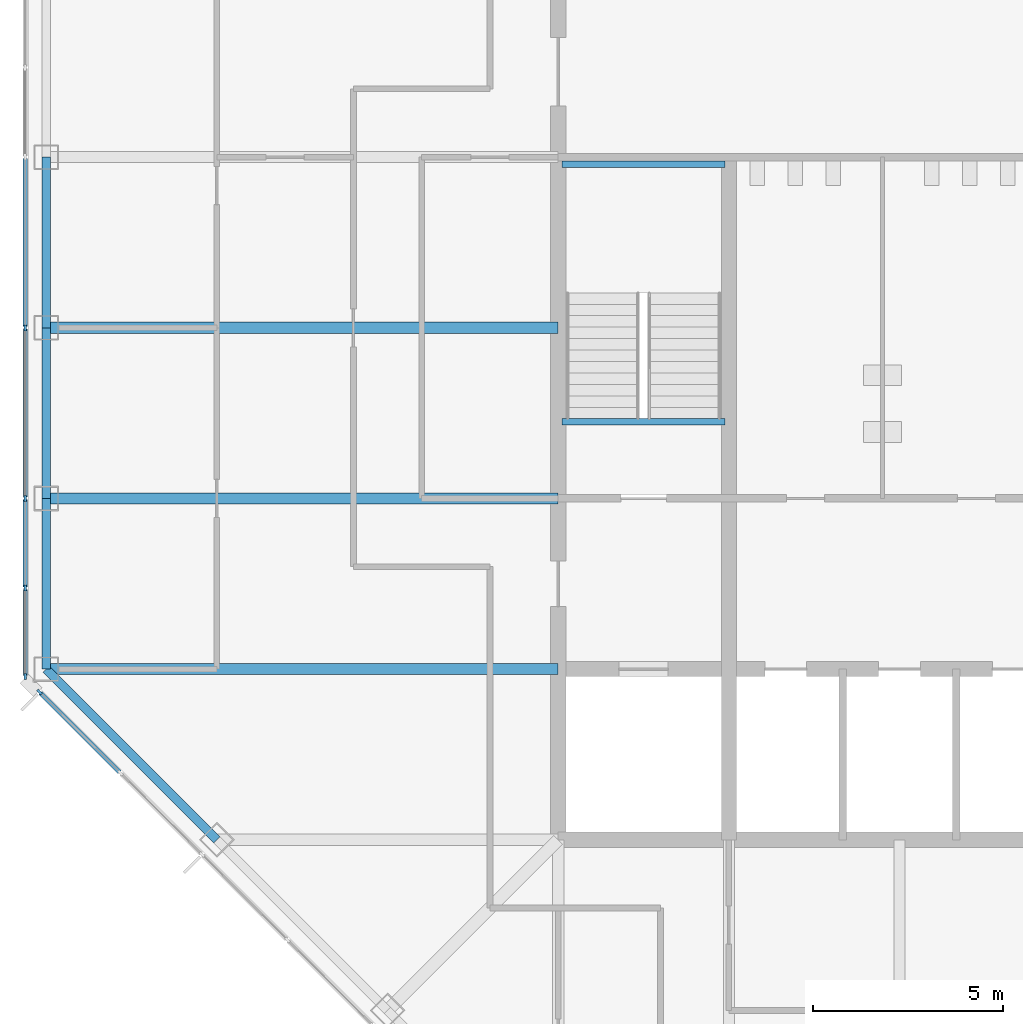
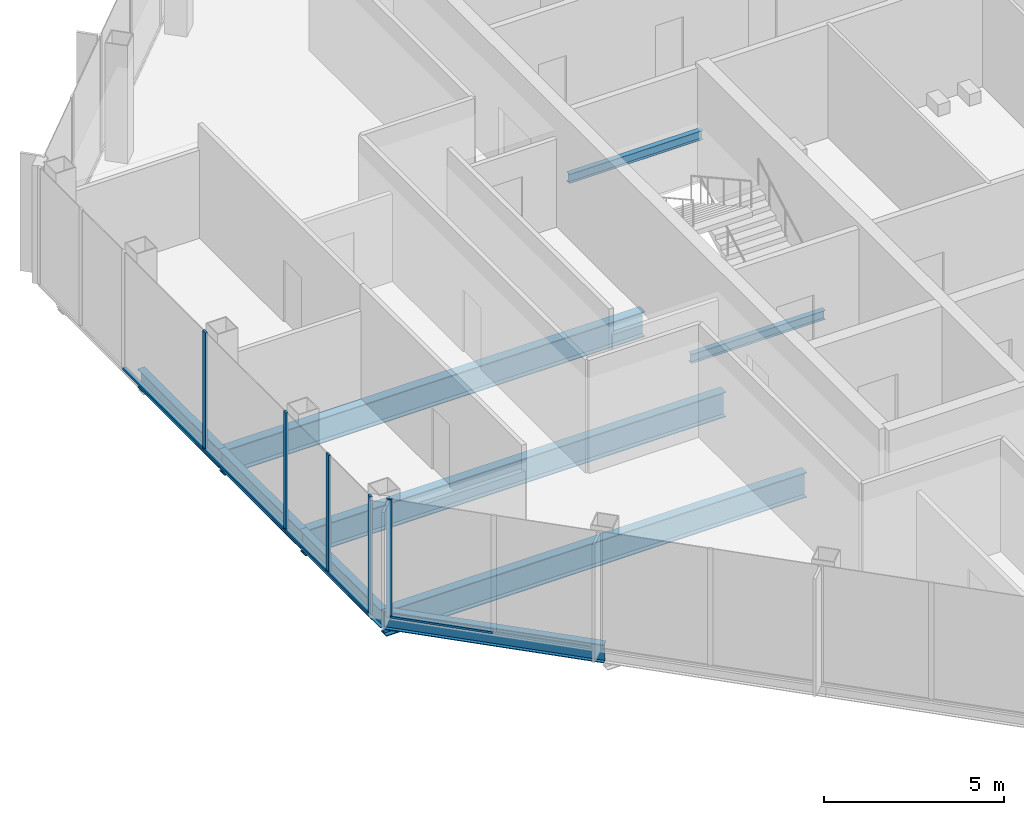
# One storey, part 3 of 14: 10 members, 9 beams, 2 elements without a shape of their own.
"""IFC4 building model written with IfcOpenShell, lengths in metres."""

import ifcopenshell
import ifcopenshell.guid

model = None  # the IFC model being written
_history = None  # IfcOwnerHistory: only IFC2X3 demands one
_inside = {}  # id of a spatial element -> (the spatial element, [elements in it])
_under = {}  # id of a project, library or spatial element -> (it, [spatial elements below it])
_declared = {}  # id of a project -> (the project, [libraries it declares])
_typed = {}  # id of a type object -> (the type object, [elements of that type])
_made_of = {}  # id of a material, layer set ... -> (it, [elements and type objects made of it])


def new_model(schema):
    """Start an empty IFC model of exactly this schema.

    Asked for "IFC4X3", IfcOpenShell would pick the latest addendum, in which some entities
    have other attributes; the version numbers below select the first issue.
    IFC2X3 requires an IfcOwnerHistory on every rooted entity: one is made here for all.
    """
    global model, _history
    if schema == "IFC4X3":
        model = ifcopenshell.file(schema_version=(4, 3, 0, 0))
    else:
        model = ifcopenshell.file(schema=schema)
    _inside.clear()
    _under.clear()
    _declared.clear()
    _typed.clear()
    _made_of.clear()
    _history = None
    if model.schema == "IFC2X3":
        org = make("IfcOrganization", Name="unknown")
        user = make(
            "IfcPersonAndOrganization",
            ThePerson=make("IfcPerson", FamilyName="unknown"),
            TheOrganization=org,
        )
        app = make(
            "IfcApplication",
            ApplicationDeveloper=org,
            Version="unknown",
            ApplicationFullName="unknown",
            ApplicationIdentifier="unknown",
        )
        _history = make(
            "IfcOwnerHistory",
            OwningUser=user,
            OwningApplication=app,
            ChangeAction="ADDED",
            CreationDate=0,
        )
    return model


def make(cls, **values):
    """One entity of the class cls with the attributes given. An attribute that is None is left unset."""
    return model.create_entity(
        cls, **{name: value for name, value in values.items() if value is not None}
    )


def rooted(cls, **values):
    """An entity with a GlobalId (a new one), such as an element, a storey or a relation."""
    return make(cls, GlobalId=ifcopenshell.guid.new(), OwnerHistory=_history, **values)


def si_unit(unit_type, name, prefix=None):
    """IfcSIUnit, for example si_unit("LENGTHUNIT", "METRE", prefix="MILLI")."""
    return make("IfcSIUnit", UnitType=unit_type, Prefix=prefix, Name=name)


def assignment(units):
    """IfcUnitAssignment: the units of a project."""
    return None if units is None else make("IfcUnitAssignment", Units=units)


def point(xyz):
    """IfcCartesianPoint."""
    return None if xyz is None else make("IfcCartesianPoint", Coordinates=xyz)


def direction(xyz):
    """IfcDirection."""
    return None if xyz is None else make("IfcDirection", DirectionRatios=xyz)


def frame(location, z_axis=None, x_axis=None):
    """IfcAxis2Placement3D, a coordinate frame: its origin and axes. An axis left out is left unset."""
    return make(
        "IfcAxis2Placement3D",
        Location=point(location),
        Axis=direction(z_axis),
        RefDirection=direction(x_axis),
    )


def frame_2d(location, x_axis=None):
    """IfcAxis2Placement2D, a coordinate frame in the plane: its origin and x axis."""
    return make(
        "IfcAxis2Placement2D", Location=point(location), RefDirection=direction(x_axis)
    )


def origin():
    """The frame at (0, 0, 0) with its axes left unset."""
    return frame((0.0, 0.0, 0.0))


def origin_2d():
    """The frame at (0, 0) in the plane with its x axis left unset."""
    return frame_2d((0.0, 0.0))


def place(relative_to, where):
    """IfcLocalPlacement: puts the frame where relative to a parent placement (None: the world)."""
    return make(
        "IfcLocalPlacement", PlacementRelTo=relative_to, RelativePlacement=where
    )


def context(
    kind, dimensions, precision=None, world=None, true_north=None, identifier=None
):
    """IfcGeometricRepresentationContext, for example the 3D "Model" context."""
    return make(
        "IfcGeometricRepresentationContext",
        ContextIdentifier=identifier,
        ContextType=kind,
        CoordinateSpaceDimension=dimensions,
        Precision=precision,
        WorldCoordinateSystem=world,
        TrueNorth=true_north,
    )


def subcontext(parent, identifier, kind, view, scale=None):
    """IfcGeometricRepresentationSubContext, for example "Body" below "Model"."""
    return make(
        "IfcGeometricRepresentationSubContext",
        ContextIdentifier=identifier,
        ContextType=kind,
        ParentContext=parent,
        TargetScale=scale,
        TargetView=view,
    )


def project(units=None, contexts=None):
    """IfcProject with its units and contexts."""
    return rooted(
        "IfcProject",
        Name="project",
        RepresentationContexts=contexts,
        UnitsInContext=assignment(units),
    )


def spatial(cls, under=None, at=None, **own):
    """A site, building, storey or space (cls), placed at a placement, below another one or the project."""
    s = rooted(cls, ObjectPlacement=at, **own)
    if under is not None:
        _under.setdefault(under.id(), (under, []))[1].append(s)
    return s


def profile(cls, at=None, kind="AREA", **sizes):
    """A parametric profile (cls). Its sizes go by their IFC names, for example OverallWidth=200.0."""
    return make(cls, ProfileType=kind, Position=at, **sizes)


def rectangle(**sizes):
    """IfcRectangleProfileDef."""
    return profile("IfcRectangleProfileDef", **sizes)


def i_section(**sizes):
    """IfcIShapeProfileDef."""
    return profile("IfcIShapeProfileDef", **sizes)


def extrude(swept, where, along, depth):
    """IfcExtrudedAreaSolid: the profile swept, set in the frame where, extruded along a direction by depth."""
    return make(
        "IfcExtrudedAreaSolid",
        SweptArea=swept,
        Position=where,
        ExtrudedDirection=direction(along),
        Depth=depth,
    )


def shape(context_of_items, identifier, shape_type, items):
    """IfcShapeRepresentation: the items that make up one representation, for example the "Body"."""
    return make(
        "IfcShapeRepresentation",
        ContextOfItems=context_of_items,
        RepresentationIdentifier=identifier,
        RepresentationType=shape_type,
        Items=items,
    )


def material(Name=None, Category=None):
    """IfcMaterial."""
    return make("IfcMaterial", Name=Name, Category=Category)


def material_profile(
    of_material, cross_section, Name=None, Category=None, Priority=None
):
    """IfcMaterialProfile: a cross section and its material."""
    return make(
        "IfcMaterialProfile",
        Name=Name,
        Material=of_material,
        Profile=cross_section,
        Priority=Priority,
        Category=Category,
    )


def profile_set(profiles, Name=None, composite=None):
    """IfcMaterialProfileSet."""
    return make(
        "IfcMaterialProfileSet",
        Name=Name,
        MaterialProfiles=profiles,
        CompositeProfile=composite,
    )


def made_of(thing, what):
    """Note that an element or type object is made of a material, layer set ...; save() writes the relation."""
    if what is not None:
        _made_of.setdefault(what.id(), (what, []))[1].append(thing)
    return thing


def type_object(cls, material=None, **own):
    """A type object (cls), such as IfcWallType, which elements share."""
    return made_of(rooted(cls, **own), material)


def element(
    cls,
    number,
    at=None,
    inside=None,
    cuts=None,
    type_object=None,
    material=None,
    context=None,
    identifier="Body",
    shape_type=None,
    held_by="IfcProductDefinitionShape",
    body=None,
    shapes=None,
    **own,
):
    """One element of the class cls, such as IfcWall. Its Tag is "e" and its number.

    at: its placement. inside: the storey or other place that contains it. cuts: it is an
    opening in that element (IfcRelVoidsElement). A single representation is given by context,
    identifier, shape_type and body (its items); several are given by shapes. held_by: the class
    of the entity that holds the representations. save() writes the other relations.
    """
    e = rooted(cls, Tag="e%d" % number, ObjectPlacement=at, **own)
    if body is not None:
        shapes = [shape(context, identifier, shape_type, body)]
    if shapes is not None:
        e.Representation = make(held_by, Representations=shapes)
    if inside is not None:
        _inside.setdefault(inside.id(), (inside, []))[1].append(e)
    if cuts is not None:
        rooted(
            "IfcRelVoidsElement", RelatingBuildingElement=cuts, RelatedOpeningElement=e
        )
    if type_object is not None:
        _typed.setdefault(type_object.id(), (type_object, []))[1].append(e)
    return made_of(e, material)


def aggregate(whole, parts):
    """IfcRelAggregates: a whole, such as a stair, and the parts it consists of."""
    return rooted("IfcRelAggregates", RelatingObject=whole, RelatedObjects=parts)


def save(model, path):
    """Write the relations noted so far, then the file.

    IfcRelAggregates (storeys below a building ...), IfcRelContainedInSpatialStructure (elements
    in a storey), IfcRelDefinesByType, IfcRelAssociatesMaterial and IfcRelDeclares: one each for
    every whole, place, type object, material and project.
    """
    for whole, parts in _under.values():
        aggregate(whole, parts)
    for where, things in _inside.values():
        rooted(
            "IfcRelContainedInSpatialStructure",
            RelatedElements=things,
            RelatingStructure=where,
        )
    for kind, things in _typed.values():
        rooted("IfcRelDefinesByType", RelatedObjects=things, RelatingType=kind)
    for what, things in _made_of.values():
        rooted("IfcRelAssociatesMaterial", RelatedObjects=things, RelatingMaterial=what)
    for by, libraries in _declared.values():
        rooted("IfcRelDeclares", RelatingContext=by, RelatedDefinitions=libraries)
    model.write(path)


model = new_model("IFC4")

# Units and contexts
model_context = context("Model", 3, precision=1e-05, world=origin(), true_north=direction((0.0, 1.0)))
body_context = subcontext(model_context, "Body", "Model", "MODEL_VIEW")
ifc_project = project(units=[si_unit("LENGTHUNIT", "METRE"), si_unit("AREAUNIT", "SQUARE_METRE"), si_unit("VOLUMEUNIT", "CUBIC_METRE"), si_unit("PLANEANGLEUNIT", "RADIAN"), si_unit("MASSUNIT", "GRAM", prefix="KILO")], contexts=[model_context])

# Site, building, storey
site_placement = place(None, origin())
site = spatial("IfcSite", under=ifc_project, at=site_placement, CompositionType="ELEMENT")
building_placement = place(site_placement, origin())
building = spatial("IfcBuilding", under=site, at=building_placement, Name="Corais Broadcast Tower", CompositionType="ELEMENT")
storey_placement = place(building_placement, frame((0.0, 0.0, 218.60009765625)))
storey = spatial("IfcBuildingStorey", under=building, at=storey_placement, Name="L50", CompositionType="ELEMENT", Elevation=218.60009765625)

# Beams
ifc_material_1 = material(Name="Steel ASTM A572 Grade 50", Category="steel")
ifc_material_profile_1 = material_profile(ifc_material_1, i_section(OverallWidth=0.2939453125, OverallDepth=0.85107421875, WebThickness=0.01611328125, FlangeThickness=0.02685546875, at=origin_2d()), Name="W840x226")
ifc_profile_set_1 = profile_set([ifc_material_profile_1], Name="Steel ASTM A572 Grade 50")
beam_type_1 = type_object("IfcBeamType", Name="Floor beam W840x226", PredefinedType="BEAM", material=ifc_profile_set_1)
for number, where, z_axis, x_axis, name in (
    (1, (0.0, 18.0, -0.585693359375), (1.0, 0.0, 0.0), (0.0, 1.0, 0.0), "B1 E/3 to E/6"),
    (2, (0.0, 22.5, -0.585693359375), (1.0, 0.0, 0.0), (0.0, 1.0, 0.0), "B1 F/3 to F/6"),
    (3, (0.0, 27.0, -0.585693359375), (1.0, 0.0, 0.0), (0.0, 1.0, 0.0), "B1 G/3 to G/6"),
):
    element("IfcBeam", number, at=place(storey_placement, frame(where, z_axis=z_axis, x_axis=x_axis)), inside=storey, type_object=beam_type_1, Name=name, PredefinedType="BEAM", context=body_context, shape_type="SweptSolid", body=[
        extrude(i_section(OverallWidth=0.2939453125, OverallDepth=0.85107421875, WebThickness=0.01611328125, FlangeThickness=0.02685546875, at=origin_2d()), origin(), (0.0, 0.0, 1.0), 13.5),
    ])
ifc_material_2 = material(Name="Steel ASTM A572 Grade 50", Category="steel")
ifc_material_profile_2 = material_profile(ifc_material_2, i_section(OverallWidth=0.1650390625, OverallDepth=0.31005859375, WebThickness=0.005859375, FlangeThickness=0.009765625, at=origin_2d()), Name="W310x38.7")
ifc_profile_set_2 = profile_set([ifc_material_profile_2], Name="Steel ASTM A572 Grade 50")
beam_type_2 = type_object("IfcBeamType", Name="Landing trimmer W310x38.7", PredefinedType="BEAM", material=ifc_profile_set_2)
for number, where, z_axis, x_axis, name in (
    (4, (13.60009765625, 24.52490234375, -0.35498046875), (1.0, 0.0, 0.0), (0.0, 1.0, 0.0), "LT1 stair A landing trimmer L50"),
    (5, (13.60009765625, 31.31005859375, 1.64501953125), (1.0, 0.0, 0.0), (0.0, 1.0, 0.0), "LT1 stair A half landing trimmer L50"),
):
    element("IfcBeam", number, at=place(storey_placement, frame(where, z_axis=z_axis, x_axis=x_axis)), inside=storey, type_object=beam_type_2, Name=name, PredefinedType="BEAM", context=body_context, shape_type="SweptSolid", body=[
        extrude(i_section(OverallWidth=0.1650390625, OverallDepth=0.31005859375, WebThickness=0.005859375, FlangeThickness=0.009765625, at=origin_2d()), origin(), (0.0, 0.0, 1.0), 4.2998046875),
    ])

# Curtain wall, member
ifc_material_3 = material(Name="Aluminium and glass", Category="aluminium")
curtain_wall_type = type_object("IfcCurtainWallType", Name="Unitised fritted curtain wall CW3", PredefinedType="NOTDEFINED", material=ifc_material_3)
curtain_wall_1_placement = place(storey_placement, origin())
curtain_wall_1 = element("IfcCurtainWall", 6, at=curtain_wall_1_placement, inside=storey, type_object=curtain_wall_type, Name="CW3 curtain wall L50 1", PredefinedType="NOTDEFINED")
ifc_material_4 = material(Name="Aluminium 6063-T6", Category="aluminium")
ifc_material_profile_3 = material_profile(ifc_material_4, rectangle(XDim=0.06494140625, YDim=0.159912109375, at=origin_2d()), Name="Mullion CW3 65x160")
ifc_profile_set_3 = profile_set([ifc_material_profile_3], Name="Aluminium 6063-T6")
member_type_1 = type_object("IfcMemberType", Name="Mullion CW3 65x160", PredefinedType="MULLION", material=ifc_profile_set_3)
member_1_placement = place(storey_placement, frame((-0.17333984375, 17.3955078125, 0.0), z_axis=(0.0, 0.0, 1.0), x_axis=(-0.707106781187, -0.707106781187, 0.0)))
member_1 = element("IfcMember", 7, at=member_1_placement, type_object=member_type_1, Name="CW3 mullion 9", PredefinedType="MULLION", context=body_context, shape_type="SweptSolid", body=[
    extrude(rectangle(XDim=0.06494140625, YDim=0.159912109375, at=origin_2d()), origin(), (0.0, 0.0, 1.0), 4.0),
])

# Curtain wall, members
curtain_wall_2_placement = place(storey_placement, origin())
curtain_wall_2 = element("IfcCurtainWall", 8, at=curtain_wall_2_placement, inside=storey, type_object=curtain_wall_type, Name="CW3 curtain wall L50 2", PredefinedType="NOTDEFINED")
member_2_placement = place(storey_placement, frame((-0.550048828125, 17.8046875, 0.0), z_axis=(0.0, 0.0, 1.0), x_axis=(-1.0, 0.0, 0.0)))
member_2 = element("IfcMember", 9, at=member_2_placement, type_object=member_type_1, Name="CW3 mullion 1", PredefinedType="MULLION", context=body_context, shape_type="SweptSolid", body=[
    extrude(rectangle(XDim=0.06494140625, YDim=0.159912109375, at=origin_2d()), origin(), (0.0, 0.0, 1.0), 4.0),
])
member_3_placement = place(storey_placement, frame((-0.550048828125, 20.135986328125, 0.0), z_axis=(0.0, 0.0, 1.0), x_axis=(-1.0, 0.0, 0.0)))
member_3 = element("IfcMember", 10, at=member_3_placement, type_object=member_type_1, Name="CW3 mullion 2", PredefinedType="MULLION", context=body_context, shape_type="SweptSolid", body=[
    extrude(rectangle(XDim=0.06494140625, YDim=0.159912109375, at=origin_2d()), origin(), (0.0, 0.0, 1.0), 4.0),
])
member_4_placement = place(storey_placement, frame((-0.550048828125, 22.5, 0.0), z_axis=(0.0, 0.0, 1.0), x_axis=(-1.0, 0.0, 0.0)))
member_4 = element("IfcMember", 11, at=member_4_placement, type_object=member_type_1, Name="CW3 mullion 3", PredefinedType="MULLION", context=body_context, shape_type="SweptSolid", body=[
    extrude(rectangle(XDim=0.06494140625, YDim=0.159912109375, at=origin_2d()), origin(), (0.0, 0.0, 1.0), 4.0),
])
member_5_placement = place(storey_placement, frame((-0.550048828125, 27.0, 0.0), z_axis=(0.0, 0.0, 1.0), x_axis=(-1.0, 0.0, 0.0)))
member_5 = element("IfcMember", 12, at=member_5_placement, type_object=member_type_1, Name="CW3 mullion 4", PredefinedType="MULLION", context=body_context, shape_type="SweptSolid", body=[
    extrude(rectangle(XDim=0.06494140625, YDim=0.159912109375, at=origin_2d()), origin(), (0.0, 0.0, 1.0), 4.0),
])

# Beams
ifc_material_5 = material(Name="Steel ASTM A572 Grade 50", Category="steel")
ifc_material_profile_4 = material_profile(ifc_material_5, i_section(OverallWidth=0.22998046875, OverallDepth=0.616943359375, WebThickness=0.01318359375, FlangeThickness=0.022216796875, at=origin_2d()), Name="W610x140")
ifc_profile_set_4 = profile_set([ifc_material_profile_4], Name="Steel ASTM A572 Grade 50")
beam_type_3 = type_object("IfcBeamType", Name="Spandrel W610x140", PredefinedType="BEAM", material=ifc_profile_set_4)
beam_placement = place(storey_placement, frame((0.0, 18.0, -0.468505859375), z_axis=(0.707106781187, -0.707106781187, 0.0), x_axis=(0.707106781187, 0.707106781187, 0.0)))
element("IfcBeam", 13, at=beam_placement, inside=storey, type_object=beam_type_3, Name="SB3 E/3 to D/4", PredefinedType="BEAM", context=body_context, shape_type="SweptSolid", body=[
    extrude(i_section(OverallWidth=0.22998046875, OverallDepth=0.616943359375, WebThickness=0.01318359375, FlangeThickness=0.022216796875, at=origin_2d()), origin(), (0.0, 0.0, 1.0), 6.364013671875),
])
for number, where, z_axis, x_axis, name in (
    (14, (0.0, 22.5, -0.468505859375), (0.0, -1.0, 0.0), (1.0, 0.0, 0.0), "SB3 F/3 to E/3"),
    (15, (0.0, 27.0, -0.468505859375), (0.0, -1.0, 0.0), (1.0, 0.0, 0.0), "SB3 G/3 to F/3"),
    (16, (0.0, 31.5, -0.468505859375), (0.0, -1.0, 0.0), (1.0, 0.0, 0.0), "SB3 H/3 to G/3"),
):
    element("IfcBeam", number, at=place(storey_placement, frame(where, z_axis=z_axis, x_axis=x_axis)), inside=storey, type_object=beam_type_3, Name=name, PredefinedType="BEAM", context=body_context, shape_type="SweptSolid", body=[
        extrude(i_section(OverallWidth=0.22998046875, OverallDepth=0.616943359375, WebThickness=0.01318359375, FlangeThickness=0.022216796875, at=origin_2d()), origin(), (0.0, 0.0, 1.0), 4.5),
    ])

# Member
ifc_material_6 = material(Name="Aluminium 6063-T6", Category="aluminium")
ifc_material_profile_5 = material_profile(ifc_material_6, rectangle(XDim=0.1201171875, YDim=0.06494140625, at=origin_2d()), Name="Transom CW3 65x120")
ifc_profile_set_5 = profile_set([ifc_material_profile_5], Name="Aluminium 6063-T6")
member_type_2 = type_object("IfcMemberType", Name="Transom CW3 65x120", PredefinedType="USERDEFINED", material=ifc_profile_set_5)
member_6_placement = place(storey_placement, frame((1.934326171875, 15.287841796875, 0.032470703125), z_axis=(-0.707106781187, 0.707106781187, 0.0), x_axis=(-0.707106781187, -0.707106781187, 0.0)))
member_6 = element("IfcMember", 17, at=member_6_placement, type_object=member_type_2, Name="CW3 transom 8.1", ObjectType="TRANSOM", PredefinedType="USERDEFINED", context=body_context, shape_type="SweptSolid", body=[
    extrude(rectangle(XDim=0.1201171875, YDim=0.06494140625, at=origin_2d()), origin(), (0.0, 0.0, 1.0), 2.9482421875),
])

aggregate(curtain_wall_1, [member_1, member_6])

member_7_placement = place(storey_placement, frame((-0.550048828125, 17.837158203125, 0.032470703125), z_axis=(0.0, 1.0, 0.0), x_axis=(-1.0, 0.0, 0.0)))
member_7 = element("IfcMember", 18, at=member_7_placement, type_object=member_type_2, Name="CW3 transom 1.1", ObjectType="TRANSOM", PredefinedType="USERDEFINED", context=body_context, shape_type="SweptSolid", body=[
    extrude(rectangle(XDim=0.1201171875, YDim=0.06494140625, at=origin_2d()), origin(), (0.0, 0.0, 1.0), 2.266357421875),
])

member_8_placement = place(storey_placement, frame((-0.550048828125, 20.168701171875, 0.032470703125), z_axis=(0.0, 1.0, 0.0), x_axis=(-1.0, 0.0, 0.0)))
member_8 = element("IfcMember", 19, at=member_8_placement, type_object=member_type_2, Name="CW3 transom 2.1", ObjectType="TRANSOM", PredefinedType="USERDEFINED", context=body_context, shape_type="SweptSolid", body=[
    extrude(rectangle(XDim=0.1201171875, YDim=0.06494140625, at=origin_2d()), origin(), (0.0, 0.0, 1.0), 2.298828125),
])

member_9_placement = place(storey_placement, frame((-0.550048828125, 22.532470703125, 0.032470703125), z_axis=(0.0, 1.0, 0.0), x_axis=(-1.0, 0.0, 0.0)))
member_9 = element("IfcMember", 20, at=member_9_placement, type_object=member_type_2, Name="CW3 transom 3.1", ObjectType="TRANSOM", PredefinedType="USERDEFINED", context=body_context, shape_type="SweptSolid", body=[
    extrude(rectangle(XDim=0.1201171875, YDim=0.06494140625, at=origin_2d()), origin(), (0.0, 0.0, 1.0), 4.43505859375),
])

member_10_placement = place(storey_placement, frame((-0.550048828125, 27.032470703125, 0.032470703125), z_axis=(0.0, 1.0, 0.0), x_axis=(-1.0, 0.0, 0.0)))
member_10 = element("IfcMember", 21, at=member_10_placement, type_object=member_type_2, Name="CW3 transom 4.1", ObjectType="TRANSOM", PredefinedType="USERDEFINED", context=body_context, shape_type="SweptSolid", body=[
    extrude(rectangle(XDim=0.1201171875, YDim=0.06494140625, at=origin_2d()), origin(), (0.0, 0.0, 1.0), 4.43505859375),
])

aggregate(curtain_wall_2, [member_2, member_3, member_4, member_5, member_7, member_8, member_9, member_10])

save(model, "model.ifc")
